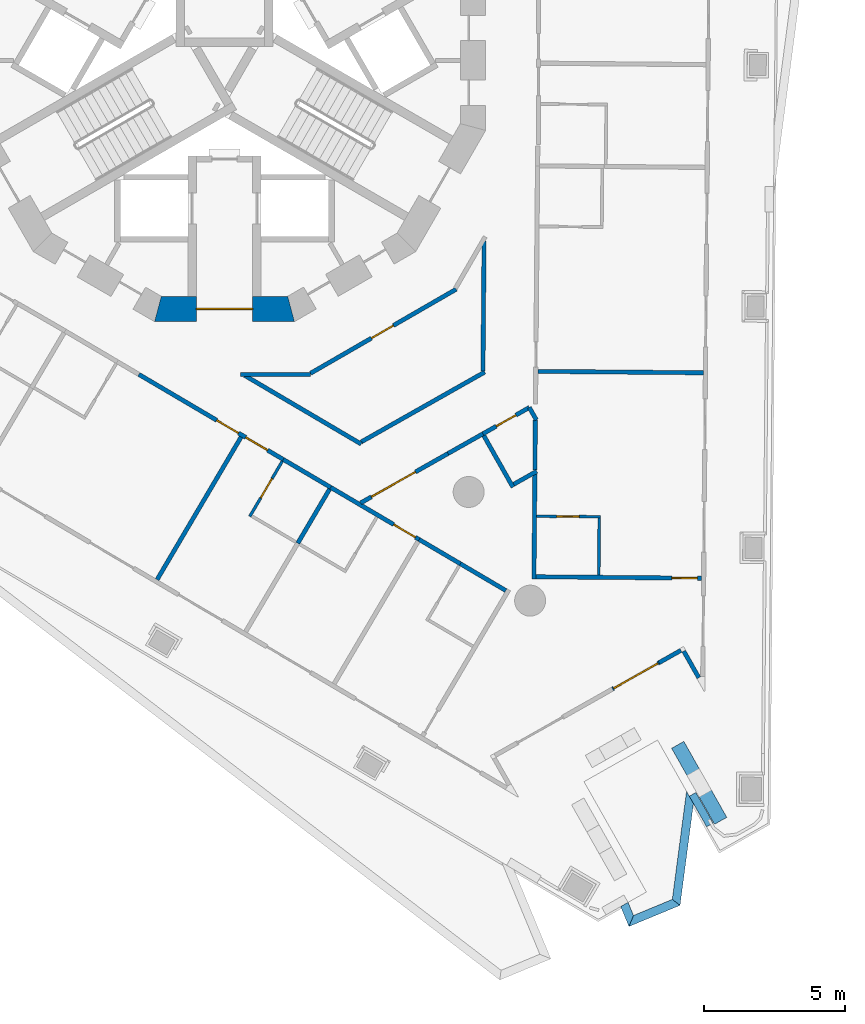
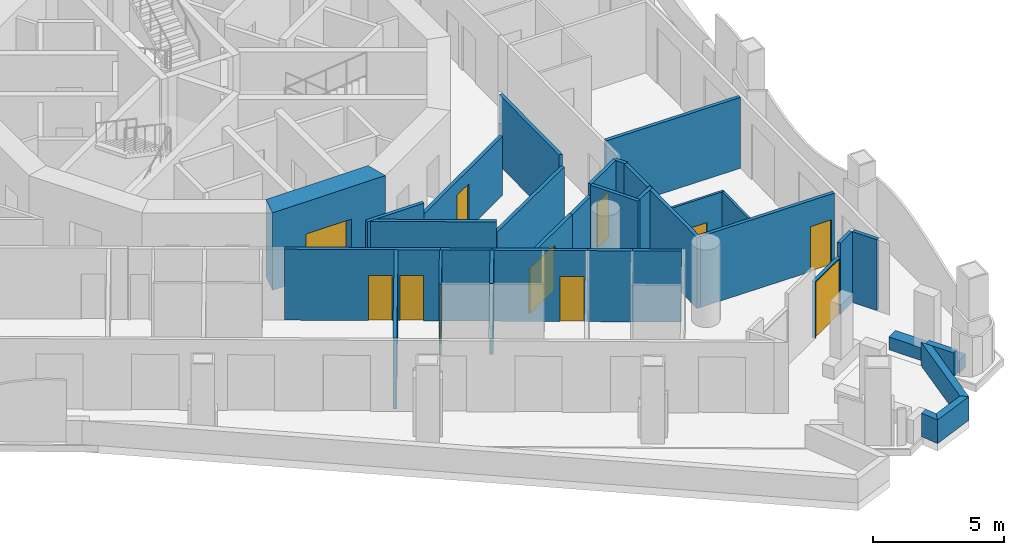
# One storey, part 4 of 18: 34 walls, 11 doors, 11 openings.
"""IFC4 building model written with IfcOpenShell, lengths in metres."""

import ifcopenshell
import ifcopenshell.guid

model = None  # the IFC model being written
_history = None  # IfcOwnerHistory: only IFC2X3 demands one
_inside = {}  # id of a spatial element -> (the spatial element, [elements in it])
_under = {}  # id of a project, library or spatial element -> (it, [spatial elements below it])
_declared = {}  # id of a project -> (the project, [libraries it declares])
_typed = {}  # id of a type object -> (the type object, [elements of that type])
_made_of = {}  # id of a material, layer set ... -> (it, [elements and type objects made of it])


def new_model(schema):
    """Start an empty IFC model of exactly this schema.

    Asked for "IFC4X3", IfcOpenShell would pick the latest addendum, in which some entities
    have other attributes; the version numbers below select the first issue.
    IFC2X3 requires an IfcOwnerHistory on every rooted entity: one is made here for all.
    """
    global model, _history
    if schema == "IFC4X3":
        model = ifcopenshell.file(schema_version=(4, 3, 0, 0))
    else:
        model = ifcopenshell.file(schema=schema)
    _inside.clear()
    _under.clear()
    _declared.clear()
    _typed.clear()
    _made_of.clear()
    _history = None
    if model.schema == "IFC2X3":
        org = make("IfcOrganization", Name="unknown")
        user = make(
            "IfcPersonAndOrganization",
            ThePerson=make("IfcPerson", FamilyName="unknown"),
            TheOrganization=org,
        )
        app = make(
            "IfcApplication",
            ApplicationDeveloper=org,
            Version="unknown",
            ApplicationFullName="unknown",
            ApplicationIdentifier="unknown",
        )
        _history = make(
            "IfcOwnerHistory",
            OwningUser=user,
            OwningApplication=app,
            ChangeAction="ADDED",
            CreationDate=0,
        )
    return model


def make(cls, **values):
    """One entity of the class cls with the attributes given. An attribute that is None is left unset."""
    return model.create_entity(
        cls, **{name: value for name, value in values.items() if value is not None}
    )


def rooted(cls, **values):
    """An entity with a GlobalId (a new one), such as an element, a storey or a relation."""
    return make(cls, GlobalId=ifcopenshell.guid.new(), OwnerHistory=_history, **values)


def si_unit(unit_type, name, prefix=None):
    """IfcSIUnit, for example si_unit("LENGTHUNIT", "METRE", prefix="MILLI")."""
    return make("IfcSIUnit", UnitType=unit_type, Prefix=prefix, Name=name)


def assignment(units):
    """IfcUnitAssignment: the units of a project."""
    return None if units is None else make("IfcUnitAssignment", Units=units)


def point(xyz):
    """IfcCartesianPoint."""
    return None if xyz is None else make("IfcCartesianPoint", Coordinates=xyz)


def direction(xyz):
    """IfcDirection."""
    return None if xyz is None else make("IfcDirection", DirectionRatios=xyz)


def frame(location, z_axis=None, x_axis=None):
    """IfcAxis2Placement3D, a coordinate frame: its origin and axes. An axis left out is left unset."""
    return make(
        "IfcAxis2Placement3D",
        Location=point(location),
        Axis=direction(z_axis),
        RefDirection=direction(x_axis),
    )


def frame_2d(location, x_axis=None):
    """IfcAxis2Placement2D, a coordinate frame in the plane: its origin and x axis."""
    return make(
        "IfcAxis2Placement2D", Location=point(location), RefDirection=direction(x_axis)
    )


def origin():
    """The frame at (0, 0, 0) with its axes left unset."""
    return frame((0.0, 0.0, 0.0))


def place(relative_to, where):
    """IfcLocalPlacement: puts the frame where relative to a parent placement (None: the world)."""
    return make(
        "IfcLocalPlacement", PlacementRelTo=relative_to, RelativePlacement=where
    )


def context(
    kind, dimensions, precision=None, world=None, true_north=None, identifier=None
):
    """IfcGeometricRepresentationContext, for example the 3D "Model" context."""
    return make(
        "IfcGeometricRepresentationContext",
        ContextIdentifier=identifier,
        ContextType=kind,
        CoordinateSpaceDimension=dimensions,
        Precision=precision,
        WorldCoordinateSystem=world,
        TrueNorth=true_north,
    )


def subcontext(parent, identifier, kind, view, scale=None):
    """IfcGeometricRepresentationSubContext, for example "Body" below "Model"."""
    return make(
        "IfcGeometricRepresentationSubContext",
        ContextIdentifier=identifier,
        ContextType=kind,
        ParentContext=parent,
        TargetScale=scale,
        TargetView=view,
    )


def project(units=None, contexts=None):
    """IfcProject with its units and contexts."""
    return rooted(
        "IfcProject",
        Name="project",
        RepresentationContexts=contexts,
        UnitsInContext=assignment(units),
    )


def spatial(cls, under=None, at=None, **own):
    """A site, building, storey or space (cls), placed at a placement, below another one or the project."""
    s = rooted(cls, ObjectPlacement=at, **own)
    if under is not None:
        _under.setdefault(under.id(), (under, []))[1].append(s)
    return s


def polyline(points):
    """IfcPolyline through the points."""
    return make("IfcPolyline", Points=[point(p) for p in points])


def profile(cls, at=None, kind="AREA", **sizes):
    """A parametric profile (cls). Its sizes go by their IFC names, for example OverallWidth=200.0."""
    return make(cls, ProfileType=kind, Position=at, **sizes)


def rectangle(**sizes):
    """IfcRectangleProfileDef."""
    return profile("IfcRectangleProfileDef", **sizes)


def outline(outer, holes=None, kind="AREA"):
    """IfcArbitraryClosedProfileDef: a profile drawn as a closed curve; with holes, ...WithVoids."""
    if holes is None:
        return make("IfcArbitraryClosedProfileDef", ProfileType=kind, OuterCurve=outer)
    return make(
        "IfcArbitraryProfileDefWithVoids",
        ProfileType=kind,
        OuterCurve=outer,
        InnerCurves=holes,
    )


def extrude(swept, where, along, depth):
    """IfcExtrudedAreaSolid: the profile swept, set in the frame where, extruded along a direction by depth."""
    return make(
        "IfcExtrudedAreaSolid",
        SweptArea=swept,
        Position=where,
        ExtrudedDirection=direction(along),
        Depth=depth,
    )


def shape(context_of_items, identifier, shape_type, items):
    """IfcShapeRepresentation: the items that make up one representation, for example the "Body"."""
    return make(
        "IfcShapeRepresentation",
        ContextOfItems=context_of_items,
        RepresentationIdentifier=identifier,
        RepresentationType=shape_type,
        Items=items,
    )


def material(Name=None, Category=None):
    """IfcMaterial."""
    return make("IfcMaterial", Name=Name, Category=Category)


def layer(
    of_material, thickness, ventilated=None, Name=None, Category=None, Priority=None
):
    """IfcMaterialLayer: one layer of a wall or slab, of a material (None: an air gap)."""
    return make(
        "IfcMaterialLayer",
        Material=of_material,
        LayerThickness=thickness,
        IsVentilated=ventilated,
        Name=Name,
        Category=Category,
        Priority=Priority,
    )


def layer_set(layers, Name=None):
    """IfcMaterialLayerSet."""
    return make("IfcMaterialLayerSet", MaterialLayers=layers, LayerSetName=Name)


def made_of(thing, what):
    """Note that an element or type object is made of a material, layer set ...; save() writes the relation."""
    if what is not None:
        _made_of.setdefault(what.id(), (what, []))[1].append(thing)
    return thing


def type_object(cls, material=None, **own):
    """A type object (cls), such as IfcWallType, which elements share."""
    return made_of(rooted(cls, **own), material)


def element(
    cls,
    number,
    at=None,
    inside=None,
    cuts=None,
    type_object=None,
    material=None,
    context=None,
    identifier="Body",
    shape_type=None,
    held_by="IfcProductDefinitionShape",
    body=None,
    shapes=None,
    **own,
):
    """One element of the class cls, such as IfcWall. Its Tag is "e" and its number.

    at: its placement. inside: the storey or other place that contains it. cuts: it is an
    opening in that element (IfcRelVoidsElement). A single representation is given by context,
    identifier, shape_type and body (its items); several are given by shapes. held_by: the class
    of the entity that holds the representations. save() writes the other relations.
    """
    e = rooted(cls, Tag="e%d" % number, ObjectPlacement=at, **own)
    if body is not None:
        shapes = [shape(context, identifier, shape_type, body)]
    if shapes is not None:
        e.Representation = make(held_by, Representations=shapes)
    if inside is not None:
        _inside.setdefault(inside.id(), (inside, []))[1].append(e)
    if cuts is not None:
        rooted(
            "IfcRelVoidsElement", RelatingBuildingElement=cuts, RelatedOpeningElement=e
        )
    if type_object is not None:
        _typed.setdefault(type_object.id(), (type_object, []))[1].append(e)
    return made_of(e, material)


def fill(opening, filler):
    """IfcRelFillsElement: the door or window that sits in an opening."""
    return rooted(
        "IfcRelFillsElement",
        RelatingOpeningElement=opening,
        RelatedBuildingElement=filler,
    )


def aggregate(whole, parts):
    """IfcRelAggregates: a whole, such as a stair, and the parts it consists of."""
    return rooted("IfcRelAggregates", RelatingObject=whole, RelatedObjects=parts)


def save(model, path):
    """Write the relations noted so far, then the file.

    IfcRelAggregates (storeys below a building ...), IfcRelContainedInSpatialStructure (elements
    in a storey), IfcRelDefinesByType, IfcRelAssociatesMaterial and IfcRelDeclares: one each for
    every whole, place, type object, material and project.
    """
    for whole, parts in _under.values():
        aggregate(whole, parts)
    for where, things in _inside.values():
        rooted(
            "IfcRelContainedInSpatialStructure",
            RelatedElements=things,
            RelatingStructure=where,
        )
    for kind, things in _typed.values():
        rooted("IfcRelDefinesByType", RelatedObjects=things, RelatingType=kind)
    for what, things in _made_of.values():
        rooted("IfcRelAssociatesMaterial", RelatedObjects=things, RelatingMaterial=what)
    for by, libraries in _declared.values():
        rooted("IfcRelDeclares", RelatingContext=by, RelatedDefinitions=libraries)
    model.write(path)


model = new_model("IFC4")

# Units and contexts
model_context = context("Model", 3, precision=1e-05, world=origin(), true_north=direction((0.0, 1.0)))
body_context = subcontext(model_context, "Body", "Model", "MODEL_VIEW")
ifc_project = project(units=[si_unit("LENGTHUNIT", "METRE"), si_unit("AREAUNIT", "SQUARE_METRE"), si_unit("VOLUMEUNIT", "CUBIC_METRE"), si_unit("PLANEANGLEUNIT", "RADIAN"), si_unit("MASSUNIT", "GRAM", prefix="KILO")], contexts=[model_context])

# Site, building, storey
site_placement = place(None, origin())
site = spatial("IfcSite", under=ifc_project, at=site_placement, CompositionType="ELEMENT")
building_placement = place(site_placement, origin())
building = spatial("IfcBuilding", under=site, at=building_placement, Name="Trine Commons Tower", CompositionType="ELEMENT")
storey_placement = place(building_placement, frame((0.0, 0.0, 161.10009765625)))
storey = spatial("IfcBuildingStorey", under=building, at=storey_placement, Name="L41", CompositionType="ELEMENT", Elevation=161.10009765625)

# Walls
ifc_material_1 = material(Name="Aluminium-framed insulated wall panel", Category="aluminium")
ifc_layer_1 = layer(ifc_material_1, 0.14990234375)
ifc_layer_set_1 = layer_set([ifc_layer_1], Name="Aluminium-framed insulated wall panel")
wall_type_1 = type_object("IfcWallType", Name="Glazed frame wall 150, EI 60", PredefinedType="SOLIDWALL", material=ifc_layer_set_1)
wall_1_placement = place(storey_placement, frame((96.91552734375, 40.450927734375, 0.0), z_axis=(0.0, 0.0, 1.0), x_axis=(-0.492439994984, 0.870346397327, 0.0)))
element("IfcWall", 1, at=wall_1_placement, inside=storey, type_object=wall_type_1, Name="Glazed frame wall R9", PredefinedType="SOLIDWALL", context=body_context, shape_type="SweptSolid", body=[
    extrude(outline(polyline([(0.1494140625, 0.074951171875), (0.1494140625, -0.074951171875), (1.235107421875, -0.074951171875), (1.235107421875, 0.074951171875), (0.1494140625, 0.074951171875)])), origin(), (0.0, 0.0, 1.0), 3.2998046875),
])
wall_2_placement = place(storey_placement, frame((96.30078125, 41.6083984375, 0.0), z_axis=(0.0, 0.0, 1.0), x_axis=(-0.870353598469, -0.492427267353, 0.0)))
element("IfcWall", 2, at=wall_2_placement, inside=storey, type_object=wall_type_1, Name="Glazed frame wall P3.1", PredefinedType="SOLIDWALL", context=body_context, shape_type="SweptSolid", body=[
    extrude(outline(polyline([(0.110107421875, -0.074951171875), (1.0, -0.074951171875), (1.0, 0.074951171875), (0.110107421875, 0.074951171875), (0.110107421875, -0.074951171875)])), origin(), (0.0, 0.0, 1.0), 3.2998046875),
])

# Wall, opening, door
wall_3_placement = place(storey_placement, frame((95.430419921875, 41.115966796875, 0.0), z_axis=(0.0, 0.0, 1.0), x_axis=(-0.870354540841, -0.492425601728, 0.0)))
wall_3 = element("IfcWall", 3, at=wall_3_placement, inside=storey, type_object=wall_type_1, Name="Glazed frame wall P3.2", PredefinedType="SOLIDWALL", context=body_context, shape_type="SweptSolid", body=[
    extrude(outline(polyline([(0.0, -0.074951171875), (1.89990234375, -0.074951171875), (1.89990234375, 0.074951171875), (0.0, 0.074951171875), (0.0, -0.074951171875)])), origin(), (0.0, 0.0, 1.0), 2.64990234375),
])
opening_1_placement = place(wall_3_placement, frame((0.050048828125, 0.0, 0.0)))
opening_1 = element("IfcOpeningElement", 4, at=opening_1_placement, cuts=wall_3, Name="Opening BD-5P3-01", PredefinedType="OPENING", context=body_context, shape_type="SweptSolid", body=[
    extrude(rectangle(XDim=1.800048828125, YDim=2.60009765625, at=frame_2d((0.89990234375, 1.300048828125))), frame((0.0, 0.0849609375, 0.0), z_axis=(0.0, -1.0, 0.0), x_axis=(1.0, 0.0, 0.0)), (0.0, 0.0, 1.0), 0.169921875),
])
ifc_material_2 = material(Name="Anodised aluminium frame with double glazing", Category="aluminium")
door_type_1 = type_object("IfcDoorType", Name="Sliding loggia door 1800x2600", OperationType="SLIDING_TO_LEFT", PredefinedType="DOOR", material=ifc_material_2)
door_1_placement = place(opening_1_placement, origin())
door_1 = element("IfcDoor", 5, at=door_1_placement, inside=storey, type_object=door_type_1, Name="Loggia door P3 1", OperationType="SLIDING_TO_LEFT", OverallHeight=2.60009765625, OverallWidth=1.800048828125, PredefinedType="DOOR", context=body_context, shape_type="SweptSolid", body=[
    extrude(rectangle(XDim=1.800048828125, YDim=2.60009765625, at=frame_2d((0.89990234375, 1.300048828125))), frame((0.0, 0.02490234375, 0.0), z_axis=(0.0, -1.0, 0.0), x_axis=(1.0, 0.0, 0.0)), (0.0, 0.0, 1.0), 0.050048828125),
])
fill(opening_1, door_1)

# Wall
ifc_material_3 = material(Name="Planter trough, precast concrete C40/50", Category="concrete")
ifc_layer_2 = layer(ifc_material_3, 0.5)
ifc_layer_set_2 = layer_set([ifc_layer_2], Name="Planter trough, precast concrete C40/50")
wall_type_2 = type_object("IfcWallType", Name="Planter trough 500x600", PredefinedType="PARAPET", material=ifc_layer_set_2)
wall_4_placement = place(storey_placement, frame((97.619384765625, 35.500732421875, 0.0), z_axis=(0.0, 0.0, 1.0), x_axis=(-0.492428288095, 0.870353020954, 0.0)))
element("IfcWall", 6, at=wall_4_placement, inside=storey, type_object=wall_type_2, Name="Planter 7", PredefinedType="PARAPET", context=body_context, shape_type="SweptSolid", body=[
    extrude(rectangle(XDim=3.10009765625, YDim=0.5, at=frame_2d((1.550048828125, 0.0))), origin(), (0.0, 0.0, 1.0), 0.599853515625),
])

# Wall, opening, door
ifc_material_4 = material(Name="Concrete C60/75", Category="concrete")
ifc_layer_3 = layer(ifc_material_4, 0.89990234375)
ifc_layer_set_3 = layer_set([ifc_layer_3], Name="Concrete C60/75")
wall_type_3 = type_object("IfcWallType", Name="RC shear wall 900 mm, C60/75", PredefinedType="SHEAR", material=ifc_layer_set_3)
wall_5_placement = place(storey_placement, frame((77.515380859375, 53.677001953125, 0.0), z_axis=(0.0, 0.0, 1.0), x_axis=(1.0, 0.0, 0.0)))
wall_5 = element("IfcWall", 7, at=wall_5_placement, inside=storey, type_object=wall_type_3, Name="Core wall CWE-10 L41", PredefinedType="SHEAR", context=body_context, shape_type="SweptSolid", body=[
    extrude(outline(polyline([(0.0, -0.449951171875), (4.969482421875, -0.449951171875), (4.728271484375, 0.449951171875), (0.2412109375, 0.449951171875), (0.0, -0.449951171875)])), origin(), (0.0, 0.0, 1.0), 3.599853515625),
])
opening_2_placement = place(wall_5_placement, frame((1.484619140625, 0.0, 0.0)))
opening_2 = element("IfcOpeningElement", 8, at=opening_2_placement, cuts=wall_5, Name="Opening K12.08", PredefinedType="OPENING", context=body_context, shape_type="SweptSolid", body=[
    extrude(rectangle(XDim=2.0, YDim=2.10009765625, at=frame_2d((1.0, 1.050048828125))), frame((0.0, 0.4599609375, 0.0), z_axis=(0.0, -1.0, 0.0), x_axis=(1.0, 0.0, 0.0)), (0.0, 0.0, 1.0), 0.919921875),
])
ifc_material_5 = material(Name="Steel door leaves, fire-rated", Category="steel")
door_type_2 = type_object("IfcDoorType", Name="Lobby door, double leaf 2000 x 2100, FD60", OperationType="DOUBLE_DOOR_SINGLE_SWING", PredefinedType="DOOR", material=ifc_material_5)
door_2_placement = place(opening_2_placement, origin())
door_2 = element("IfcDoor", 9, at=door_2_placement, inside=storey, type_object=door_type_2, Name="Lobby door, Service and firefighting lobby L41", OperationType="DOUBLE_DOOR_SINGLE_SWING", OverallHeight=2.10009765625, OverallWidth=2.0, PredefinedType="DOOR", context=body_context, shape_type="SweptSolid", body=[
    extrude(rectangle(XDim=2.0, YDim=2.10009765625, at=frame_2d((1.0, 1.050048828125))), frame((0.0, 0.02490234375, 0.0), z_axis=(0.0, -1.0, 0.0), x_axis=(1.0, 0.0, 0.0)), (0.0, 0.0, 1.0), 0.050048828125),
])
fill(opening_2, door_2)

# Walls
ifc_material_6 = material(Name="Limestone, honed", Category="masonry")
ifc_layer_4 = layer(ifc_material_6, 0.300048828125)
ifc_layer_set_4 = layer_set([ifc_layer_4], Name="Limestone, honed")
wall_type_4 = type_object("IfcWallType", Name="Stone parapet 300", PredefinedType="PARAPET", material=ifc_layer_set_4)
wall_6_placement = place(storey_placement, origin())
element("IfcWall", 10, at=wall_6_placement, inside=storey, type_object=wall_type_4, Name="Sliver roof parapet L40 4.1", PredefinedType="PARAPET", context=body_context, shape_type="SweptSolid", body=[
    extrude(outline(polyline([(96.17578125, 32.500244140625), (96.651611328125, 36.114501953125), (96.40625, 36.54833984375), (95.90087890625, 32.711181640625), (96.17578125, 32.500244140625)])), origin(), (0.0, 0.0, 1.0), 1.099853515625),
])
wall_7_placement = place(storey_placement, origin())
element("IfcWall", 11, at=wall_7_placement, inside=storey, type_object=wall_type_4, Name="Sliver roof parapet L40 4.2", PredefinedType="PARAPET", context=body_context, shape_type="SweptSolid", body=[
    extrude(outline(polyline([(94.067626953125, 32.457275390625), (94.361328125, 31.74853515625), (94.523681640625, 32.140380859375), (94.330810546875, 32.606201171875), (94.067626953125, 32.457275390625)])), origin(), (0.0, 0.0, 1.0), 1.099853515625),
])
wall_8_placement = place(storey_placement, origin())
element("IfcWall", 12, at=wall_8_placement, inside=storey, type_object=wall_type_4, Name="Sliver roof parapet L40 4.3", PredefinedType="PARAPET", context=body_context, shape_type="SweptSolid", body=[
    extrude(outline(polyline([(94.361328125, 31.74853515625), (96.17578125, 32.500244140625), (95.90087890625, 32.711181640625), (94.523681640625, 32.140380859375), (94.361328125, 31.74853515625)])), origin(), (0.0, 0.0, 1.0), 1.099853515625),
])
wall_9_placement = place(storey_placement, origin())
element("IfcWall", 13, at=wall_9_placement, inside=storey, type_object=wall_type_4, Name="Sliver roof parapet extension L40 4.X1", PredefinedType="PARAPET", context=body_context, shape_type="SweptSolid", body=[
    extrude(outline(polyline([(96.739013671875, 36.508544921875), (96.50390625, 36.37548828125), (97.119384765625, 35.28759765625), (97.3544921875, 35.42041015625), (96.739013671875, 36.508544921875)])), origin(), (0.0, 0.0, 1.0), 1.099853515625),
])

# Wall, openings, doors
ifc_material_7 = material(Name="Gypsum plasterboard on steel stud", Category="steel")
ifc_layer_5 = layer(ifc_material_7, 0.14990234375)
ifc_layer_set_5 = layer_set([ifc_layer_5], Name="Gypsum plasterboard on steel stud")
wall_type_5 = type_object("IfcWallType", Name="Unit and corridor wall 150 mm, EI 60", PredefinedType="PARTITIONING", material=ifc_layer_set_5)
wall_10_placement = place(storey_placement, frame((76.9599609375, 51.35205078125, 0.0), z_axis=(0.0, 0.0, 1.0), x_axis=(0.861634811964, -0.507528768457, 0.0)))
wall_10 = element("IfcWall", 14, at=wall_10_placement, inside=storey, type_object=wall_type_5, Name="Partition 059", PredefinedType="PARTITIONING", context=body_context, shape_type="SweptSolid", body=[
    extrude(rectangle(XDim=5.956298828125, YDim=0.14990234375, at=frame_2d((2.97802734375, 0.0))), origin(), (0.0, 0.0, 1.0), 3.2998046875),
])
opening_3_placement = place(wall_10_placement, frame((4.406005859375, 0.0, 0.0)))
opening_3 = element("IfcOpeningElement", 15, at=opening_3_placement, cuts=wall_10, Name="Opening D-5A21", PredefinedType="OPENING", context=body_context, shape_type="SweptSolid", body=[
    extrude(rectangle(XDim=0.89990234375, YDim=2.10009765625, at=frame_2d((0.449951171875, 1.050048828125))), frame((0.0, 0.0849609375, 0.0), z_axis=(0.0, -1.0, 0.0), x_axis=(1.0, 0.0, 0.0)), (0.0, 0.0, 1.0), 0.169921875),
])
opening_4_placement = place(wall_10_placement, frame((3.205810546875, 0.0, 0.0)))
opening_4 = element("IfcOpeningElement", 16, at=opening_4_placement, cuts=wall_10, Name="Opening D-5A22", PredefinedType="OPENING", context=body_context, shape_type="SweptSolid", body=[
    extrude(rectangle(XDim=0.89990234375, YDim=2.10009765625, at=frame_2d((0.449951171875, 1.050048828125))), frame((0.0, 0.0849609375, 0.0), z_axis=(0.0, -1.0, 0.0), x_axis=(1.0, 0.0, 0.0)), (0.0, 0.0, 1.0), 0.169921875),
])
ifc_material_8 = material(Name="Timber fire door set", Category="wood")
door_type_3 = type_object("IfcDoorType", Name="Bedroom door 900 x 2100, FD30S", OperationType="NOTDEFINED", PredefinedType="DOOR", material=ifc_material_8)
door_3_placement = place(opening_3_placement, frame((0.89990234375, 0.0, 0.0), z_axis=(0.0, 0.0, 1.0), x_axis=(-1.0, 0.0, 0.0)))
door_3 = element("IfcDoor", 17, at=door_3_placement, inside=storey, type_object=door_type_3, Name="Door D-5A21", OperationType="SINGLE_SWING_LEFT", OverallHeight=2.10009765625, OverallWidth=0.89990234375, PredefinedType="DOOR", context=body_context, shape_type="SweptSolid", body=[
    extrude(rectangle(XDim=0.89990234375, YDim=2.10009765625, at=frame_2d((0.449951171875, 1.050048828125))), frame((0.0, 0.02490234375, 0.0), z_axis=(0.0, -1.0, 0.0), x_axis=(1.0, 0.0, 0.0)), (0.0, 0.0, 1.0), 0.050048828125),
])
fill(opening_3, door_3)
door_4_placement = place(opening_4_placement, frame((0.89990234375, 0.0, 0.0), z_axis=(0.0, 0.0, 1.0), x_axis=(-1.0, 0.0, 0.0)))
door_4 = element("IfcDoor", 18, at=door_4_placement, inside=storey, type_object=door_type_3, Name="Door D-5A22", OperationType="SINGLE_SWING_LEFT", OverallHeight=2.10009765625, OverallWidth=0.89990234375, PredefinedType="DOOR", context=body_context, shape_type="SweptSolid", body=[
    extrude(rectangle(XDim=0.89990234375, YDim=2.10009765625, at=frame_2d((0.449951171875, 1.050048828125))), frame((0.0, 0.02490234375, 0.0), z_axis=(0.0, -1.0, 0.0), x_axis=(1.0, 0.0, 0.0)), (0.0, 0.0, 1.0), 0.050048828125),
])
fill(opening_4, door_4)

# Walls
wall_11_placement = place(storey_placement, frame((77.607421875, 44.06640625, 0.0), z_axis=(0.0, 0.0, 1.0), x_axis=(0.507572206676, 0.861609224074, 0.0)))
element("IfcWall", 19, at=wall_11_placement, inside=storey, type_object=wall_type_5, Name="Partition 061", PredefinedType="PARTITIONING", context=body_context, shape_type="SweptSolid", body=[
    extrude(rectangle(XDim=5.8740234375, YDim=0.14990234375, at=frame_2d((2.93701171875, 0.0))), origin(), (0.0, 0.0, 1.0), 3.2998046875),
])
wall_12_placement = place(storey_placement, frame((80.574951171875, 51.35205078125, 0.0), z_axis=(0.0, 0.0, 1.0), x_axis=(1.0, 0.0, 0.0)))
element("IfcWall", 20, at=wall_12_placement, inside=storey, type_object=wall_type_5, Name="Partition 064", PredefinedType="PARTITIONING", context=body_context, shape_type="SweptSolid", body=[
    extrude(rectangle(XDim=2.487060546875, YDim=0.14990234375, at=frame_2d((1.24365234375, 0.0))), origin(), (0.0, 0.0, 1.0), 3.2998046875),
])
wall_13_placement = place(storey_placement, frame((80.718505859375, 51.31396484375, 0.0), z_axis=(0.0, 0.0, 1.0), x_axis=(0.86168823453, -0.507438061711, 0.0)))
element("IfcWall", 21, at=wall_13_placement, inside=storey, type_object=wall_type_5, Name="Partition 065", PredefinedType="PARTITIONING", context=body_context, shape_type="SweptSolid", body=[
    extrude(rectangle(XDim=4.798828125, YDim=0.14990234375, at=frame_2d((2.3994140625, 0.0))), origin(), (0.0, 0.0, 1.0), 3.2998046875),
])
wall_14_placement = place(storey_placement, frame((82.0859375, 48.3330078125, 0.0), z_axis=(0.0, 0.0, 1.0), x_axis=(0.861462455733, -0.507821265174, 0.0)))
element("IfcWall", 22, at=wall_14_placement, inside=storey, type_object=wall_type_5, Name="Partition 074", PredefinedType="PARTITIONING", context=body_context, shape_type="SweptSolid", body=[
    extrude(rectangle(XDim=1.957275390625, YDim=0.14990234375, at=frame_2d((0.978515625, 0.0))), origin(), (0.0, 0.0, 1.0), 3.2998046875),
])
wall_15_placement = place(storey_placement, frame((82.60205078125, 45.35888671875, 0.0), z_axis=(0.0, 0.0, 1.0), x_axis=(0.507346148222, 0.8617423547, 0.0)))
element("IfcWall", 23, at=wall_15_placement, inside=storey, type_object=wall_type_5, Name="Partition 075", PredefinedType="PARTITIONING", context=body_context, shape_type="SweptSolid", body=[
    extrude(rectangle(XDim=2.22509765625, YDim=0.14990234375, at=frame_2d((1.112548828125, 0.0))), origin(), (0.0, 0.0, 1.0), 3.2998046875),
])

# Wall, opening, door
wall_16_placement = place(storey_placement, frame((83.052001953125, 51.389404296875, 0.0), z_axis=(0.0, 0.0, 1.0), x_axis=(0.866039280689, 0.499975963725, 0.0)))
wall_16 = element("IfcWall", 24, at=wall_16_placement, inside=storey, type_object=wall_type_5, Name="Partition 078", PredefinedType="PARTITIONING", context=body_context, shape_type="SweptSolid", body=[
    extrude(rectangle(XDim=5.974365234375, YDim=0.14990234375, at=frame_2d((2.9873046875, 0.0))), origin(), (0.0, 0.0, 1.0), 2.75),
])
opening_5_placement = place(wall_16_placement, frame((2.499755859375, 0.0, 0.0)))
opening_5 = element("IfcOpeningElement", 25, at=opening_5_placement, cuts=wall_16, Name="Opening D-5A26", PredefinedType="OPENING", context=body_context, shape_type="SweptSolid", body=[
    extrude(rectangle(XDim=0.89990234375, YDim=2.10009765625, at=frame_2d((0.449951171875, 1.050048828125))), frame((0.0, 0.0849609375, 0.0), z_axis=(0.0, -1.0, 0.0), x_axis=(1.0, 0.0, 0.0)), (0.0, 0.0, 1.0), 0.169921875),
])
door_type_4 = type_object("IfcDoorType", Name="Service door 900 x 2100, FD30S", OperationType="NOTDEFINED", PredefinedType="DOOR", material=ifc_material_8)
door_5_placement = place(opening_5_placement, frame((0.89990234375, 0.0, 0.0), z_axis=(0.0, 0.0, 1.0), x_axis=(-1.0, 0.0, 0.0)))
door_5 = element("IfcDoor", 26, at=door_5_placement, inside=storey, type_object=door_type_4, Name="Door D-5A26", OperationType="SINGLE_SWING_RIGHT", OverallHeight=2.10009765625, OverallWidth=0.89990234375, PredefinedType="DOOR", context=body_context, shape_type="SweptSolid", body=[
    extrude(rectangle(XDim=0.89990234375, YDim=2.10009765625, at=frame_2d((0.449951171875, 1.050048828125))), frame((0.0, 0.02490234375, 0.0), z_axis=(0.0, -1.0, 0.0), x_axis=(1.0, 0.0, 0.0)), (0.0, 0.0, 1.0), 0.050048828125),
])
fill(opening_5, door_5)

wall_17_placement = place(storey_placement, frame((83.76611328125, 47.343017578125, 0.0), z_axis=(0.0, 0.0, 1.0), x_axis=(0.861641853319, -0.507516814115, 0.0)))
wall_17 = element("IfcWall", 27, at=wall_17_placement, inside=storey, type_object=wall_type_5, Name="Partition 080", PredefinedType="PARTITIONING", context=body_context, shape_type="SweptSolid", body=[
    extrude(rectangle(XDim=3.651123046875, YDim=0.14990234375, at=frame_2d((1.82568359375, 0.0))), origin(), (0.0, 0.0, 1.0), 3.2998046875),
])
opening_6_placement = place(wall_17_placement, frame((2.60107421875, 0.0, 0.0)))
opening_6 = element("IfcOpeningElement", 28, at=opening_6_placement, cuts=wall_17, Name="Opening D-5A20", PredefinedType="OPENING", context=body_context, shape_type="SweptSolid", body=[
    extrude(rectangle(XDim=0.89990234375, YDim=2.10009765625, at=frame_2d((0.449951171875, 1.050048828125))), frame((0.0, 0.0849609375, 0.0), z_axis=(0.0, -1.0, 0.0), x_axis=(1.0, 0.0, 0.0)), (0.0, 0.0, 1.0), 0.169921875),
])
door_6_placement = place(opening_6_placement, frame((0.89990234375, 0.0, 0.0), z_axis=(0.0, 0.0, 1.0), x_axis=(-1.0, 0.0, 0.0)))
door_6 = element("IfcDoor", 29, at=door_6_placement, inside=storey, type_object=door_type_3, Name="Door D-5A20", OperationType="SINGLE_SWING_LEFT", OverallHeight=2.10009765625, OverallWidth=0.89990234375, PredefinedType="DOOR", context=body_context, shape_type="SweptSolid", body=[
    extrude(rectangle(XDim=0.89990234375, YDim=2.10009765625, at=frame_2d((0.449951171875, 1.050048828125))), frame((0.0, 0.02490234375, 0.0), z_axis=(0.0, -1.0, 0.0), x_axis=(1.0, 0.0, 0.0)), (0.0, 0.0, 1.0), 0.050048828125),
])
fill(opening_6, door_6)

wall_18_placement = place(storey_placement, frame((84.835205078125, 46.788818359375, 0.0), z_axis=(0.0, 0.0, 1.0), x_axis=(0.870381542182, 0.492377874228, 0.0)))
wall_18 = element("IfcWall", 30, at=wall_18_placement, inside=storey, type_object=wall_type_5, Name="Partition 085", PredefinedType="PARTITIONING", context=body_context, shape_type="SweptSolid", body=[
    extrude(rectangle(XDim=3.5625, YDim=0.14990234375, at=frame_2d((1.78125, 0.0))), origin(), (0.0, 0.0, 1.0), 2.75),
])
opening_7_placement = place(wall_18_placement, frame((0.435546875, 0.0, 0.0)))
opening_7 = element("IfcOpeningElement", 31, at=opening_7_placement, cuts=wall_18, Name="Opening D-5A02", PredefinedType="OPENING", context=body_context, shape_type="SweptSolid", body=[
    extrude(rectangle(XDim=1.800048828125, YDim=2.10009765625, at=frame_2d((0.89990234375, 1.050048828125))), frame((0.0, 0.0849609375, 0.0), z_axis=(0.0, -1.0, 0.0), x_axis=(1.0, 0.0, 0.0)), (0.0, 0.0, 1.0), 0.169921875),
])
door_type_5 = type_object("IfcDoorType", Name="Cluster entrance door 1800 x 2100, double leaf, FD30S", OperationType="DOUBLE_DOOR_DOUBLE_SWING", PredefinedType="DOOR", material=ifc_material_8)
door_7_placement = place(opening_7_placement, frame((1.800048828125, 0.0, 0.0), z_axis=(0.0, 0.0, 1.0), x_axis=(-1.0, 0.0, 0.0)))
door_7 = element("IfcDoor", 32, at=door_7_placement, inside=storey, type_object=door_type_5, Name="Door D-5A02", OperationType="DOUBLE_DOOR_DOUBLE_SWING", OverallHeight=2.10009765625, OverallWidth=1.800048828125, PredefinedType="DOOR", context=body_context, shape_type="SweptSolid", body=[
    extrude(rectangle(XDim=1.800048828125, YDim=2.10009765625, at=frame_2d((0.89990234375, 1.050048828125))), frame((0.0, 0.02490234375, 0.0), z_axis=(0.0, -1.0, 0.0), x_axis=(1.0, 0.0, 0.0)), (0.0, 0.0, 1.0), 0.050048828125),
])
fill(opening_7, door_7)

# Walls
wall_19_placement = place(storey_placement, frame((84.854248046875, 48.953857421875, 0.0), z_axis=(0.0, 0.0, 1.0), x_axis=(0.870410364257, 0.492326921662, 0.0)))
element("IfcWall", 33, at=wall_19_placement, inside=storey, type_object=wall_type_5, Name="Partition 086", PredefinedType="PARTITIONING", context=body_context, shape_type="SweptSolid", body=[
    extrude(rectangle(XDim=5.041259765625, YDim=0.14990234375, at=frame_2d((2.5205078125, 0.0))), origin(), (0.0, 0.0, 1.0), 2.75),
])
wall_20_placement = place(storey_placement, frame((86.912109375, 45.489990234375, 0.0), z_axis=(0.0, 0.0, 1.0), x_axis=(0.861583321685, -0.507616173693, 0.0)))
element("IfcWall", 34, at=wall_20_placement, inside=storey, type_object=wall_type_5, Name="Partition 091", PredefinedType="PARTITIONING", context=body_context, shape_type="SweptSolid", body=[
    extrude(rectangle(XDim=1.7001953125, YDim=0.14990234375, at=frame_2d((0.85009765625, 0.0))), origin(), (0.0, 0.0, 1.0), 3.2998046875),
])
wall_21_placement = place(storey_placement, frame((87.93603515625, 48.54296875, 0.0), z_axis=(0.0, 0.0, 1.0), x_axis=(0.870505283706, 0.492159070871, 0.0)))
element("IfcWall", 35, at=wall_21_placement, inside=storey, type_object=wall_type_5, Name="Partition 099", PredefinedType="PARTITIONING", context=body_context, shape_type="SweptSolid", body=[
    extrude(rectangle(XDim=1.422119140625, YDim=0.14990234375, at=frame_2d((0.7109375, 0.0))), origin(), (0.0, 0.0, 1.0), 2.75),
])
wall_22_placement = place(storey_placement, frame((88.327880859375, 44.656494140625, 0.0), z_axis=(0.0, 0.0, 1.0), x_axis=(0.861465294094, -0.507816450177, 0.0)))
element("IfcWall", 36, at=wall_22_placement, inside=storey, type_object=wall_type_5, Name="Partition 102", PredefinedType="PARTITIONING", context=body_context, shape_type="SweptSolid", body=[
    extrude(rectangle(XDim=1.9287109375, YDim=0.14990234375, at=frame_2d((0.96435546875, 0.0))), origin(), (0.0, 0.0, 1.0), 3.2998046875),
])

# Wall, opening, door
wall_23_placement = place(storey_placement, frame((89.16796875, 49.239013671875, 0.0), z_axis=(0.0, 0.0, 1.0), x_axis=(0.870049645281, 0.492964111013, 0.0)))
wall_23 = element("IfcWall", 37, at=wall_23_placement, inside=storey, type_object=wall_type_5, Name="Partition 104", PredefinedType="PARTITIONING", context=body_context, shape_type="SweptSolid", body=[
    extrude(rectangle(XDim=1.90673828125, YDim=0.14990234375, at=frame_2d((0.953369140625, 0.0))), origin(), (0.0, 0.0, 1.0), 3.2998046875),
])
opening_8_placement = place(wall_23_placement, frame((0.553466796875, 0.0, 0.0)))
opening_8 = element("IfcOpeningElement", 38, at=opening_8_placement, cuts=wall_23, Name="Opening D-5A04", PredefinedType="OPENING", context=body_context, shape_type="SweptSolid", body=[
    extrude(rectangle(XDim=0.800048828125, YDim=2.10009765625, at=frame_2d((0.39990234375, 1.050048828125))), frame((0.0, 0.0849609375, 0.0), z_axis=(0.0, -1.0, 0.0), x_axis=(1.0, 0.0, 0.0)), (0.0, 0.0, 1.0), 0.169921875),
])
ifc_material_9 = material(Name="Painted timber", Category="wood")
door_type_6 = type_object("IfcDoorType", Name="Toilet door 800 x 2100, NOT RATED", OperationType="NOTDEFINED", PredefinedType="DOOR", material=ifc_material_9)
door_8_placement = place(opening_8_placement, frame((0.800048828125, 0.0, 0.0), z_axis=(0.0, 0.0, 1.0), x_axis=(-1.0, 0.0, 0.0)))
door_8 = element("IfcDoor", 39, at=door_8_placement, inside=storey, type_object=door_type_6, Name="Door D-5A04", OperationType="SINGLE_SWING_LEFT", OverallHeight=2.10009765625, OverallWidth=0.800048828125, PredefinedType="DOOR", context=body_context, shape_type="SweptSolid", body=[
    extrude(rectangle(XDim=0.800048828125, YDim=2.10009765625, at=frame_2d((0.39990234375, 1.050048828125))), frame((0.0, 0.02490234375, 0.0), z_axis=(0.0, -1.0, 0.0), x_axis=(1.0, 0.0, 0.0)), (0.0, 0.0, 1.0), 0.050048828125),
])
fill(opening_8, door_8)

# Walls
wall_24_placement = place(storey_placement, frame((89.2080078125, 49.17578125, 0.0), z_axis=(0.0, 0.0, 1.0), x_axis=(0.492490202922, -0.870317987879, 0.0)))
element("IfcWall", 40, at=wall_24_placement, inside=storey, type_object=wall_type_5, Name="Partition 105", PredefinedType="PARTITIONING", context=body_context, shape_type="SweptSolid", body=[
    extrude(rectangle(XDim=2.099365234375, YDim=0.14990234375, at=frame_2d((1.0498046875, 0.0))), origin(), (0.0, 0.0, 1.0), 3.2998046875),
])
wall_25_placement = place(storey_placement, frame((89.177490234375, 51.47412109375, 0.0), z_axis=(0.0, 0.0, 1.0), x_axis=(0.008609896903, 0.999962934151, 0.0)))
element("IfcWall", 41, at=wall_25_placement, inside=storey, type_object=wall_type_5, Name="Partition 106", PredefinedType="PARTITIONING", context=body_context, shape_type="SweptSolid", body=[
    extrude(rectangle(XDim=4.6220703125, YDim=0.14990234375, at=frame_2d((2.31103515625, 0.0))), origin(), (0.0, 0.0, 1.0), 3.2998046875),
])
wall_26_placement = place(storey_placement, frame((90.270263671875, 47.450927734375, 0.0), z_axis=(0.0, 0.0, 1.0), x_axis=(0.870538616766, 0.492100108432, 0.0)))
element("IfcWall", 42, at=wall_26_placement, inside=storey, type_object=wall_type_5, Name="Partition 108", PredefinedType="PARTITIONING", context=body_context, shape_type="SweptSolid", body=[
    extrude(rectangle(XDim=0.938720703125, YDim=0.14990234375, at=frame_2d((0.46923828125, 0.0))), origin(), (0.0, 0.0, 1.0), 3.2998046875),
])
wall_27_placement = place(storey_placement, frame((90.823974609375, 50.177001953125, 0.0), z_axis=(0.0, 0.0, 1.0), x_axis=(0.493654600783, -0.869658056437, 0.0)))
element("IfcWall", 43, at=wall_27_placement, inside=storey, type_object=wall_type_5, Name="Partition 109", PredefinedType="PARTITIONING", context=body_context, shape_type="SweptSolid", body=[
    extrude(rectangle(XDim=0.50830078125, YDim=0.14990234375, at=frame_2d((0.254150390625, 0.0))), origin(), (0.0, 0.0, 1.0), 3.2998046875),
])
wall_28_placement = place(storey_placement, frame((90.98828125, 44.092041015625, 0.0), z_axis=(0.0, 0.0, 1.0), x_axis=(0.008789427608, 0.999961372235, 0.0)))
element("IfcWall", 44, at=wall_28_placement, inside=storey, type_object=wall_type_5, Name="Partition 110", PredefinedType="PARTITIONING", context=body_context, shape_type="SweptSolid", body=[
    extrude(rectangle(XDim=3.72216796875, YDim=0.14990234375, at=frame_2d((1.861083984375, 0.0))), origin(), (0.0, 0.0, 1.0), 3.2998046875),
])

# Wall, opening, door
wall_29_placement = place(storey_placement, frame((91.06396484375, 44.166259765625, 0.0), z_axis=(0.0, 0.0, 1.0), x_axis=(0.999962273479, -0.008686289076, 0.0)))
wall_29 = element("IfcWall", 45, at=wall_29_placement, inside=storey, type_object=wall_type_5, Name="Partition 111", PredefinedType="PARTITIONING", context=body_context, shape_type="SweptSolid", body=[
    extrude(rectangle(XDim=5.874267578125, YDim=0.14990234375, at=frame_2d((2.93701171875, 0.0))), origin(), (0.0, 0.0, 1.0), 3.2998046875),
])
opening_9_placement = place(wall_29_placement, frame((4.82421875, 0.0, 0.0)))
opening_9 = element("IfcOpeningElement", 46, at=opening_9_placement, cuts=wall_29, Name="Opening D-5A18", PredefinedType="OPENING", context=body_context, shape_type="SweptSolid", body=[
    extrude(rectangle(XDim=0.89990234375, YDim=2.10009765625, at=frame_2d((0.449951171875, 1.050048828125))), frame((0.0, 0.0849609375, 0.0), z_axis=(0.0, -1.0, 0.0), x_axis=(1.0, 0.0, 0.0)), (0.0, 0.0, 1.0), 0.169921875),
])
door_9_placement = place(opening_9_placement, origin())
door_9 = element("IfcDoor", 47, at=door_9_placement, inside=storey, type_object=door_type_3, Name="Door D-5A18", OperationType="SINGLE_SWING_RIGHT", OverallHeight=2.10009765625, OverallWidth=0.89990234375, PredefinedType="DOOR", context=body_context, shape_type="SweptSolid", body=[
    extrude(rectangle(XDim=0.89990234375, YDim=2.10009765625, at=frame_2d((0.449951171875, 1.050048828125))), frame((0.0, 0.02490234375, 0.0), z_axis=(0.0, -1.0, 0.0), x_axis=(1.0, 0.0, 0.0)), (0.0, 0.0, 1.0), 0.050048828125),
])
fill(opening_9, door_9)

# Walls
wall_30_placement = place(storey_placement, frame((91.022705078125, 47.950927734375, 0.0), z_axis=(0.0, 0.0, 1.0), x_axis=(0.008256220588, 0.99996591683, 0.0)))
element("IfcWall", 48, at=wall_30_placement, inside=storey, type_object=wall_type_5, Name="Partition 113", PredefinedType="PARTITIONING", context=body_context, shape_type="SweptSolid", body=[
    extrude(rectangle(XDim=1.774169921875, YDim=0.14990234375, at=frame_2d((0.88720703125, 0.0))), origin(), (0.0, 0.0, 1.0), 3.2998046875),
])
wall_31_placement = place(storey_placement, frame((91.126953125, 51.460205078125, 0.0), z_axis=(0.0, 0.0, 1.0), x_axis=(0.999962273479, -0.008686289076, 0.0)))
element("IfcWall", 49, at=wall_31_placement, inside=storey, type_object=wall_type_5, Name="Partition 115", PredefinedType="PARTITIONING", context=body_context, shape_type="SweptSolid", body=[
    extrude(rectangle(XDim=5.874267578125, YDim=0.14990234375, at=frame_2d((2.93701171875, 0.0))), origin(), (0.0, 0.0, 1.0), 3.2998046875),
])

# Wall, opening, door
ifc_layer_6 = layer(ifc_material_7, 0.10009765625)
ifc_layer_set_6 = layer_set([ifc_layer_6], Name="Gypsum plasterboard on steel stud")
wall_type_6 = type_object("IfcWallType", Name="Unit partition 100 mm, no rating", PredefinedType="PARTITIONING", material=ifc_layer_set_6)
wall_32_placement = place(storey_placement, frame((80.896484375, 46.305908203125, 0.0), z_axis=(0.0, 0.0, 1.0), x_axis=(0.507376506277, 0.861724480839, 0.0)))
wall_32 = element("IfcWall", 50, at=wall_32_placement, inside=storey, type_object=wall_type_6, Name="Partition 070", PredefinedType="PARTITIONING", context=body_context, shape_type="SweptSolid", body=[
    extrude(rectangle(XDim=2.275146484375, YDim=0.10009765625, at=frame_2d((1.1376953125, 0.0))), origin(), (0.0, 0.0, 1.0), 3.2998046875),
])
opening_10_placement = place(wall_32_placement, frame((0.762451171875, 0.0, 0.0)))
opening_10 = element("IfcOpeningElement", 51, at=opening_10_placement, cuts=wall_32, Name="Opening D-5A46", PredefinedType="OPENING", context=body_context, shape_type="SweptSolid", body=[
    extrude(rectangle(XDim=0.800048828125, YDim=2.10009765625, at=frame_2d((0.39990234375, 1.050048828125))), frame((0.0, 0.06005859375, 0.0), z_axis=(0.0, -1.0, 0.0), x_axis=(1.0, 0.0, 0.0)), (0.0, 0.0, 1.0), 0.1201171875),
])
door_type_7 = type_object("IfcDoorType", Name="Internal door 800 x 2100, NOT RATED", OperationType="NOTDEFINED", PredefinedType="DOOR", material=ifc_material_9)
door_10_placement = place(opening_10_placement, origin())
door_10 = element("IfcDoor", 52, at=door_10_placement, inside=storey, type_object=door_type_7, Name="Door D-5A46", OperationType="SINGLE_SWING_RIGHT", OverallHeight=2.10009765625, OverallWidth=0.800048828125, PredefinedType="DOOR", context=body_context, shape_type="SweptSolid", body=[
    extrude(rectangle(XDim=0.800048828125, YDim=2.10009765625, at=frame_2d((0.39990234375, 1.050048828125))), frame((0.0, 0.02490234375, 0.0), z_axis=(0.0, -1.0, 0.0), x_axis=(1.0, 0.0, 0.0)), (0.0, 0.0, 1.0), 0.050048828125),
])
fill(opening_10, door_10)

wall_33_placement = place(storey_placement, frame((91.08203125, 46.31640625, 0.0), z_axis=(0.0, 0.0, 1.0), x_axis=(0.999962219299, -0.008692524121, 0.0)))
wall_33 = element("IfcWall", 53, at=wall_33_placement, inside=storey, type_object=wall_type_6, Name="Partition 112", PredefinedType="PARTITIONING", context=body_context, shape_type="SweptSolid", body=[
    extrude(rectangle(XDim=2.27490234375, YDim=0.10009765625, at=frame_2d((1.137451171875, 0.0))), origin(), (0.0, 0.0, 1.0), 3.2998046875),
])
opening_11_placement = place(wall_33_placement, frame((0.71240234375, 0.0, 0.0)))
opening_11 = element("IfcOpeningElement", 54, at=opening_11_placement, cuts=wall_33, Name="Opening D-5A43", PredefinedType="OPENING", context=body_context, shape_type="SweptSolid", body=[
    extrude(rectangle(XDim=0.800048828125, YDim=2.10009765625, at=frame_2d((0.39990234375, 1.050048828125))), frame((0.0, 0.06005859375, 0.0), z_axis=(0.0, -1.0, 0.0), x_axis=(1.0, 0.0, 0.0)), (0.0, 0.0, 1.0), 0.1201171875),
])
door_11_placement = place(opening_11_placement, origin())
door_11 = element("IfcDoor", 55, at=door_11_placement, inside=storey, type_object=door_type_7, Name="Door D-5A43", OperationType="SINGLE_SWING_LEFT", OverallHeight=2.10009765625, OverallWidth=0.800048828125, PredefinedType="DOOR", context=body_context, shape_type="SweptSolid", body=[
    extrude(rectangle(XDim=0.800048828125, YDim=2.10009765625, at=frame_2d((0.39990234375, 1.050048828125))), frame((0.0, 0.02490234375, 0.0), z_axis=(0.0, -1.0, 0.0), x_axis=(1.0, 0.0, 0.0)), (0.0, 0.0, 1.0), 0.050048828125),
])
fill(opening_11, door_11)

# Wall
wall_34_placement = place(storey_placement, frame((93.28955078125, 44.221923828125, 0.0), z_axis=(0.0, 0.0, 1.0), x_axis=(0.008438518102, 0.999964395072, 0.0)))
element("IfcWall", 56, at=wall_34_placement, inside=storey, type_object=wall_type_6, Name="Partition 133", PredefinedType="PARTITIONING", context=body_context, shape_type="SweptSolid", body=[
    extrude(rectangle(XDim=2.025146484375, YDim=0.10009765625, at=frame_2d((1.0126953125, 0.0))), origin(), (0.0, 0.0, 1.0), 3.2998046875),
])

save(model, "model.ifc")
